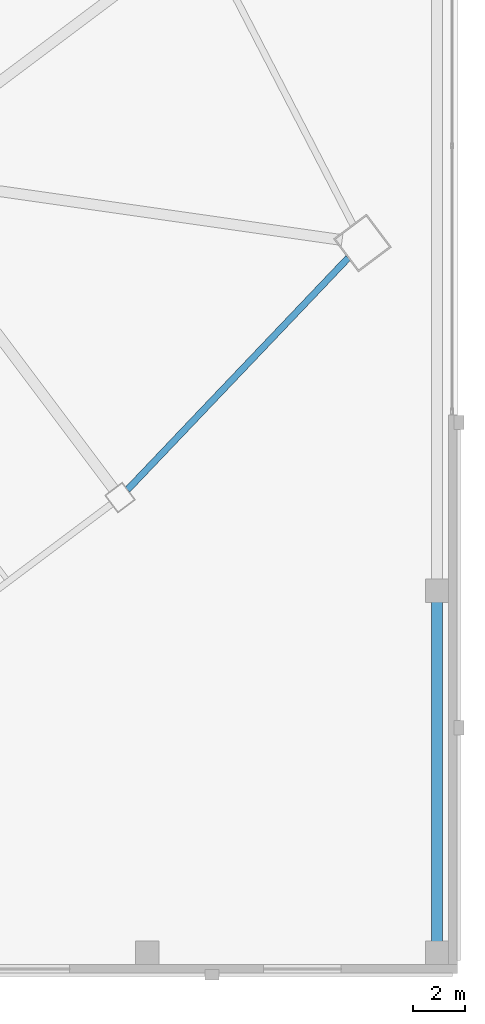
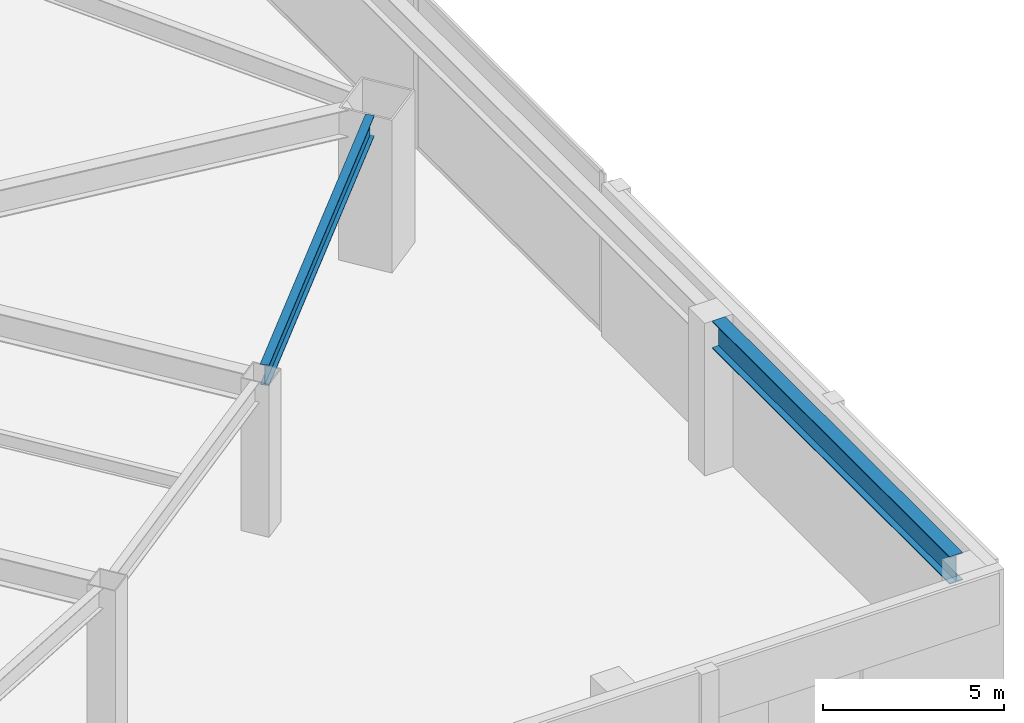
# One storey, part 28 of 48: 2 beams.
"""IFC4 building model written with IfcOpenShell, lengths in metres."""

from ifc_helpers import new_model, si_unit, direction, frame, origin, origin_2d, place, context, subcontext, project, spatial, i_section, extrude, material, material_profile, profile_set, type_object, element, save


model = new_model("IFC4")

# Units and contexts
model_context = context("Model", 3, precision=1e-05, world=origin(), true_north=direction((0.0, 1.0)))
body_context = subcontext(model_context, "Body", "Model", "MODEL_VIEW")
ifc_project = project(units=[si_unit("LENGTHUNIT", "METRE"), si_unit("AREAUNIT", "SQUARE_METRE"), si_unit("VOLUMEUNIT", "CUBIC_METRE"), si_unit("PLANEANGLEUNIT", "RADIAN"), si_unit("MASSUNIT", "GRAM", prefix="KILO")], contexts=[model_context])

# Site, building, storey
site_placement = place(None, origin())
site = spatial("IfcSite", under=ifc_project, at=site_placement, CompositionType="ELEMENT")
building_placement = place(site_placement, origin())
building = spatial("IfcBuilding", under=site, at=building_placement, Name="Tashvorn Skyway Center", CompositionType="ELEMENT")
storey_placement = place(building_placement, frame((0.0, 0.0, 10.199951171875)))
storey = spatial("IfcBuildingStorey", under=building, at=storey_placement, Name="L02", CompositionType="ELEMENT", Elevation=10.199951171875)

# Beams
ifc_material_1 = material(Name="Steel ASTM A913 Grade 65", Category="steel")
ifc_material_profile_1 = material_profile(ifc_material_1, i_section(OverallWidth=0.4189453125, OverallDepth=0.927001953125, WebThickness=0.019287109375, FlangeThickness=0.031982421875, at=origin_2d()), Name="W36X231")
ifc_profile_set_1 = profile_set([ifc_material_profile_1], Name="Steel ASTM A913 Grade 65")
beam_type_1 = type_object("IfcBeamType", Name="BM-BEAM-W36X231", PredefinedType="BEAM", material=ifc_profile_set_1)
beam_1_placement = place(storey_placement, frame((143.199951171875, 1.2451171875, 4.676513671875), z_axis=(0.0, 1.0, 0.0), x_axis=(-1.0, 0.0, 0.0)))
element("IfcBeam", 1, at=beam_1_placement, inside=storey, type_object=beam_type_1, Name="L02 North-South Podium Girder 06-S", PredefinedType="BEAM", context=body_context, shape_type="SweptSolid", body=[
    extrude(i_section(OverallWidth=0.4189453125, OverallDepth=0.927001953125, WebThickness=0.019287109375, FlangeThickness=0.031982421875, at=origin_2d()), origin(), (0.0, 0.0, 1.0), 13.10986328125),
])
ifc_material_2 = material(Name="Steel ASTM A992 Grade 50", Category="steel")
ifc_material_profile_2 = material_profile(ifc_material_2, i_section(OverallWidth=0.256103515625, OverallDepth=0.693115234375, WebThickness=0.014404296875, FlangeThickness=0.023681640625, at=origin_2d()), Name="W27X114")
ifc_profile_set_2 = profile_set([ifc_material_profile_2], Name="Steel ASTM A992 Grade 50")
beam_type_2 = type_object("IfcBeamType", Name="BM-SPANDREL-W27X114", PredefinedType="SPANDREL", material=ifc_profile_set_2)
beam_2_placement = place(storey_placement, frame((131.23974609375, 18.7041015625, 4.79345703125), z_axis=(0.689589637236, 0.724200339835, 0.0), x_axis=(-0.724200339835, 0.689589637236, 0.0)))
element("IfcBeam", 2, at=beam_2_placement, inside=storey, type_object=beam_type_2, Name="Tower 2 L02 Spandrel Beam 03", PredefinedType="SPANDREL", context=body_context, shape_type="SweptSolid", body=[
    extrude(i_section(OverallWidth=0.256103515625, OverallDepth=0.693115234375, WebThickness=0.014404296875, FlangeThickness=0.023681640625, at=origin_2d()), origin(), (0.0, 0.0, 1.0), 12.37255859375),
])

save(model, "model.ifc")
